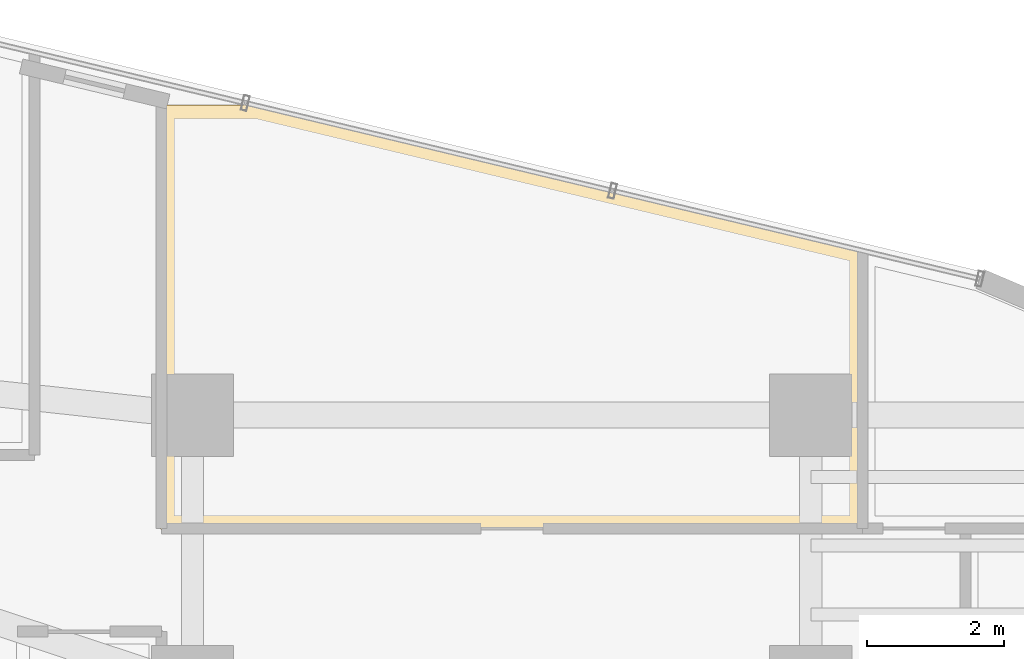
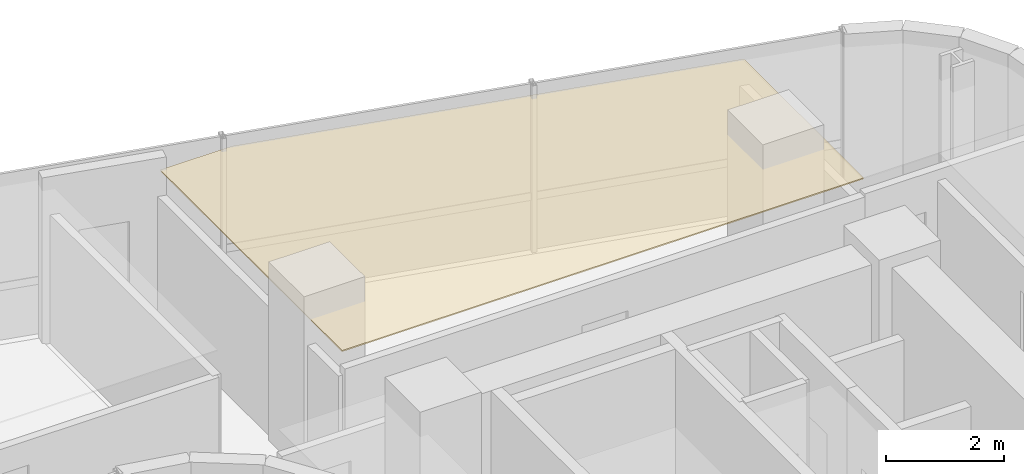
# One storey, part 37 of 37: 1 covering.
"""IFC4 building model written with IfcOpenShell, lengths in metres."""

from ifc_helpers import new_model, si_unit, direction, frame, origin, place, context, subcontext, project, spatial, polyline, outline, extrude, material, layer, layer_set, type_object, element, save


model = new_model("IFC4")

# Units and contexts
model_context = context("Model", 3, precision=1e-05, world=origin(), true_north=direction((0.0, 1.0)))
body_context = subcontext(model_context, "Body", "Model", "MODEL_VIEW")
ifc_project = project(units=[si_unit("LENGTHUNIT", "METRE"), si_unit("AREAUNIT", "SQUARE_METRE"), si_unit("VOLUMEUNIT", "CUBIC_METRE"), si_unit("PLANEANGLEUNIT", "RADIAN"), si_unit("MASSUNIT", "GRAM", prefix="KILO")], contexts=[model_context])

# Site, building, storey
site_placement = place(None, origin())
site = spatial("IfcSite", under=ifc_project, at=site_placement, CompositionType="ELEMENT")
building_placement = place(site_placement, origin())
building = spatial("IfcBuilding", under=site, at=building_placement, Name="Valdorenza Pilgrim Sanctuary Tower", CompositionType="ELEMENT")
storey_placement = place(building_placement, frame((0.0, 0.0, 135.300048828125)))
storey = spatial("IfcBuildingStorey", under=building, at=storey_placement, Name="L34", CompositionType="ELEMENT", Elevation=135.300048828125)

# Covering
ifc_material = material(Name="Micro-perforated acoustic mineral ceiling tile", Category="gypsum")
ifc_layer = layer(ifc_material, 0.02490234375, Name="Micro-perforated acoustic mineral ceiling tile")
ifc_layer_set = layer_set([ifc_layer], Name="Micro-perforated acoustic mineral ceiling tile")
covering_type = type_object("IfcCoveringType", Name="COV-CLG-ACU", PredefinedType="CEILING", material=ifc_layer_set)
covering_placement = place(storey_placement, frame((0.0, 0.0, 3.159912109375)))
element("IfcCovering", 1, at=covering_placement, inside=storey, type_object=covering_type, Name="L34 Curator Research Office L34-BN1 Acoustic Ceiling", PredefinedType="CEILING", context=body_context, shape_type="SweptSolid", body=[
    extrude(outline(polyline([(15.39990234375, 11.8349609375), (15.3984375, 11.835205078125), (15.397216796875, 11.835205078125), (15.3955078125, 11.835693359375), (15.394287109375, 11.836181640625), (15.392822265625, 11.8369140625), (15.3916015625, 11.83740234375), (15.390380859375, 11.83837890625), (15.389404296875, 11.83935546875), (15.388427734375, 11.840576171875), (15.387451171875, 11.841796875), (15.38671875, 11.843017578125), (15.385986328125, 11.84423828125), (15.385498046875, 11.845703125), (15.38525390625, 11.84716796875), (15.385009765625, 11.848388671875), (15.385009765625, 11.85009765625), (15.385009765625, 18.0), (15.385009765625, 18.00146484375), (15.38525390625, 18.0029296875), (15.385498046875, 18.00439453125), (15.385986328125, 18.005615234375), (15.38671875, 18.007080078125), (15.387451171875, 18.00830078125), (15.388427734375, 18.009521484375), (15.389404296875, 18.010498046875), (15.390380859375, 18.01171875), (15.3916015625, 18.012451171875), (15.392822265625, 18.01318359375), (15.394287109375, 18.013916015625), (15.3955078125, 18.014404296875), (15.397216796875, 18.0146484375), (15.3984375, 18.014892578125), (15.39990234375, 18.014892578125), (16.794189453125, 18.014892578125), (16.7958984375, 18.014892578125), (16.797607421875, 18.0146484375), (25.603515625, 15.90673828125), (25.60498046875, 15.906494140625), (25.606201171875, 15.906005859375), (25.607421875, 15.9052734375), (25.608642578125, 15.904541015625), (25.60986328125, 15.903564453125), (25.61083984375, 15.902587890625), (25.61181640625, 15.901611328125), (25.612548828125, 15.900390625), (25.61328125, 15.899169921875), (25.614013671875, 15.897705078125), (25.614501953125, 15.896484375), (25.61474609375, 15.89501953125), (25.614990234375, 15.893798828125), (25.614990234375, 15.892333984375), (25.614990234375, 11.85009765625), (25.614990234375, 11.848388671875), (25.61474609375, 11.84716796875), (25.614501953125, 11.845703125), (25.614013671875, 11.84423828125), (25.61328125, 11.843017578125), (25.612548828125, 11.841796875), (25.611572265625, 11.840576171875), (25.610595703125, 11.83935546875), (25.609619140625, 11.83837890625), (25.6083984375, 11.83740234375), (25.607177734375, 11.8369140625), (25.605712890625, 11.836181640625), (25.6044921875, 11.835693359375), (25.602783203125, 11.835205078125), (25.6015625, 11.835205078125), (25.60009765625, 11.8349609375), (15.39990234375, 11.8349609375)])), origin(), (0.0, 0.0, 1.0), 0.025146484375),
])

save(model, "model.ifc")
